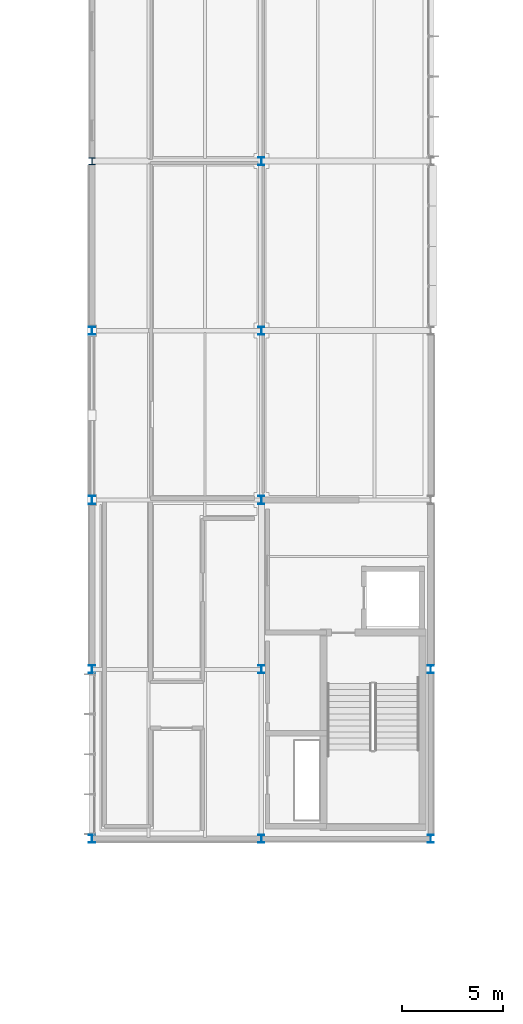
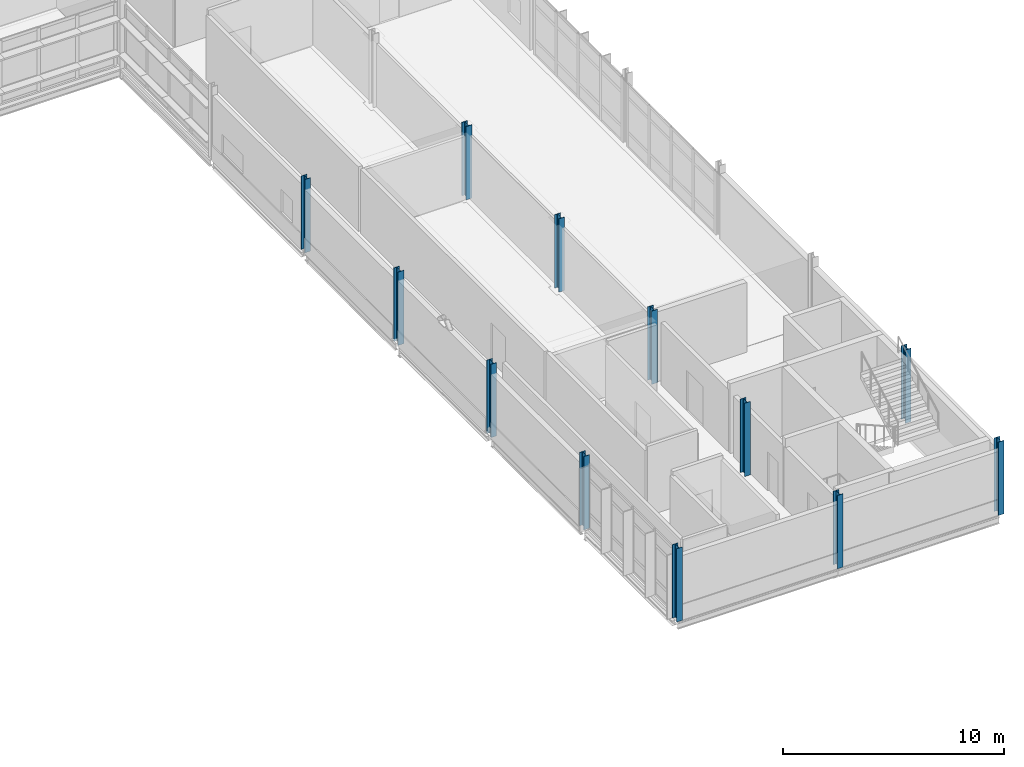
# One storey, part 11 of 131: 12 columns.
"""IFC4 building model written with IfcOpenShell, lengths in metres."""

import ifcopenshell
import ifcopenshell.guid

model = None  # the IFC model being written
_history = None  # IfcOwnerHistory: only IFC2X3 demands one
_inside = {}  # id of a spatial element -> (the spatial element, [elements in it])
_under = {}  # id of a project, library or spatial element -> (it, [spatial elements below it])
_declared = {}  # id of a project -> (the project, [libraries it declares])
_typed = {}  # id of a type object -> (the type object, [elements of that type])
_made_of = {}  # id of a material, layer set ... -> (it, [elements and type objects made of it])


def new_model(schema):
    """Start an empty IFC model of exactly this schema.

    Asked for "IFC4X3", IfcOpenShell would pick the latest addendum, in which some entities
    have other attributes; the version numbers below select the first issue.
    IFC2X3 requires an IfcOwnerHistory on every rooted entity: one is made here for all.
    """
    global model, _history
    if schema == "IFC4X3":
        model = ifcopenshell.file(schema_version=(4, 3, 0, 0))
    else:
        model = ifcopenshell.file(schema=schema)
    _inside.clear()
    _under.clear()
    _declared.clear()
    _typed.clear()
    _made_of.clear()
    _history = None
    if model.schema == "IFC2X3":
        org = make("IfcOrganization", Name="unknown")
        user = make(
            "IfcPersonAndOrganization",
            ThePerson=make("IfcPerson", FamilyName="unknown"),
            TheOrganization=org,
        )
        app = make(
            "IfcApplication",
            ApplicationDeveloper=org,
            Version="unknown",
            ApplicationFullName="unknown",
            ApplicationIdentifier="unknown",
        )
        _history = make(
            "IfcOwnerHistory",
            OwningUser=user,
            OwningApplication=app,
            ChangeAction="ADDED",
            CreationDate=0,
        )
    return model


def make(cls, **values):
    """One entity of the class cls with the attributes given. An attribute that is None is left unset."""
    return model.create_entity(
        cls, **{name: value for name, value in values.items() if value is not None}
    )


def rooted(cls, **values):
    """An entity with a GlobalId (a new one), such as an element, a storey or a relation."""
    return make(cls, GlobalId=ifcopenshell.guid.new(), OwnerHistory=_history, **values)


def si_unit(unit_type, name, prefix=None):
    """IfcSIUnit, for example si_unit("LENGTHUNIT", "METRE", prefix="MILLI")."""
    return make("IfcSIUnit", UnitType=unit_type, Prefix=prefix, Name=name)


def assignment(units):
    """IfcUnitAssignment: the units of a project."""
    return None if units is None else make("IfcUnitAssignment", Units=units)


def point(xyz):
    """IfcCartesianPoint."""
    return None if xyz is None else make("IfcCartesianPoint", Coordinates=xyz)


def direction(xyz):
    """IfcDirection."""
    return None if xyz is None else make("IfcDirection", DirectionRatios=xyz)


def frame(location, z_axis=None, x_axis=None):
    """IfcAxis2Placement3D, a coordinate frame: its origin and axes. An axis left out is left unset."""
    return make(
        "IfcAxis2Placement3D",
        Location=point(location),
        Axis=direction(z_axis),
        RefDirection=direction(x_axis),
    )


def frame_2d(location, x_axis=None):
    """IfcAxis2Placement2D, a coordinate frame in the plane: its origin and x axis."""
    return make(
        "IfcAxis2Placement2D", Location=point(location), RefDirection=direction(x_axis)
    )


def origin():
    """The frame at (0, 0, 0) with its axes left unset."""
    return frame((0.0, 0.0, 0.0))


def origin_2d():
    """The frame at (0, 0) in the plane with its x axis left unset."""
    return frame_2d((0.0, 0.0))


def place(relative_to, where):
    """IfcLocalPlacement: puts the frame where relative to a parent placement (None: the world)."""
    return make(
        "IfcLocalPlacement", PlacementRelTo=relative_to, RelativePlacement=where
    )


def context(
    kind, dimensions, precision=None, world=None, true_north=None, identifier=None
):
    """IfcGeometricRepresentationContext, for example the 3D "Model" context."""
    return make(
        "IfcGeometricRepresentationContext",
        ContextIdentifier=identifier,
        ContextType=kind,
        CoordinateSpaceDimension=dimensions,
        Precision=precision,
        WorldCoordinateSystem=world,
        TrueNorth=true_north,
    )


def subcontext(parent, identifier, kind, view, scale=None):
    """IfcGeometricRepresentationSubContext, for example "Body" below "Model"."""
    return make(
        "IfcGeometricRepresentationSubContext",
        ContextIdentifier=identifier,
        ContextType=kind,
        ParentContext=parent,
        TargetScale=scale,
        TargetView=view,
    )


def project(units=None, contexts=None):
    """IfcProject with its units and contexts."""
    return rooted(
        "IfcProject",
        Name="project",
        RepresentationContexts=contexts,
        UnitsInContext=assignment(units),
    )


def spatial(cls, under=None, at=None, **own):
    """A site, building, storey or space (cls), placed at a placement, below another one or the project."""
    s = rooted(cls, ObjectPlacement=at, **own)
    if under is not None:
        _under.setdefault(under.id(), (under, []))[1].append(s)
    return s


def profile(cls, at=None, kind="AREA", **sizes):
    """A parametric profile (cls). Its sizes go by their IFC names, for example OverallWidth=200.0."""
    return make(cls, ProfileType=kind, Position=at, **sizes)


def i_section(**sizes):
    """IfcIShapeProfileDef."""
    return profile("IfcIShapeProfileDef", **sizes)


def extrude(swept, where, along, depth):
    """IfcExtrudedAreaSolid: the profile swept, set in the frame where, extruded along a direction by depth."""
    return make(
        "IfcExtrudedAreaSolid",
        SweptArea=swept,
        Position=where,
        ExtrudedDirection=direction(along),
        Depth=depth,
    )


def shape(context_of_items, identifier, shape_type, items):
    """IfcShapeRepresentation: the items that make up one representation, for example the "Body"."""
    return make(
        "IfcShapeRepresentation",
        ContextOfItems=context_of_items,
        RepresentationIdentifier=identifier,
        RepresentationType=shape_type,
        Items=items,
    )


def material(Name=None, Category=None):
    """IfcMaterial."""
    return make("IfcMaterial", Name=Name, Category=Category)


def material_profile(
    of_material, cross_section, Name=None, Category=None, Priority=None
):
    """IfcMaterialProfile: a cross section and its material."""
    return make(
        "IfcMaterialProfile",
        Name=Name,
        Material=of_material,
        Profile=cross_section,
        Priority=Priority,
        Category=Category,
    )


def profile_set(profiles, Name=None, composite=None):
    """IfcMaterialProfileSet."""
    return make(
        "IfcMaterialProfileSet",
        Name=Name,
        MaterialProfiles=profiles,
        CompositeProfile=composite,
    )


def made_of(thing, what):
    """Note that an element or type object is made of a material, layer set ...; save() writes the relation."""
    if what is not None:
        _made_of.setdefault(what.id(), (what, []))[1].append(thing)
    return thing


def type_object(cls, material=None, **own):
    """A type object (cls), such as IfcWallType, which elements share."""
    return made_of(rooted(cls, **own), material)


def element(
    cls,
    number,
    at=None,
    inside=None,
    cuts=None,
    type_object=None,
    material=None,
    context=None,
    identifier="Body",
    shape_type=None,
    held_by="IfcProductDefinitionShape",
    body=None,
    shapes=None,
    **own,
):
    """One element of the class cls, such as IfcWall. Its Tag is "e" and its number.

    at: its placement. inside: the storey or other place that contains it. cuts: it is an
    opening in that element (IfcRelVoidsElement). A single representation is given by context,
    identifier, shape_type and body (its items); several are given by shapes. held_by: the class
    of the entity that holds the representations. save() writes the other relations.
    """
    e = rooted(cls, Tag="e%d" % number, ObjectPlacement=at, **own)
    if body is not None:
        shapes = [shape(context, identifier, shape_type, body)]
    if shapes is not None:
        e.Representation = make(held_by, Representations=shapes)
    if inside is not None:
        _inside.setdefault(inside.id(), (inside, []))[1].append(e)
    if cuts is not None:
        rooted(
            "IfcRelVoidsElement", RelatingBuildingElement=cuts, RelatedOpeningElement=e
        )
    if type_object is not None:
        _typed.setdefault(type_object.id(), (type_object, []))[1].append(e)
    return made_of(e, material)


def aggregate(whole, parts):
    """IfcRelAggregates: a whole, such as a stair, and the parts it consists of."""
    return rooted("IfcRelAggregates", RelatingObject=whole, RelatedObjects=parts)


def save(model, path):
    """Write the relations noted so far, then the file.

    IfcRelAggregates (storeys below a building ...), IfcRelContainedInSpatialStructure (elements
    in a storey), IfcRelDefinesByType, IfcRelAssociatesMaterial and IfcRelDeclares: one each for
    every whole, place, type object, material and project.
    """
    for whole, parts in _under.values():
        aggregate(whole, parts)
    for where, things in _inside.values():
        rooted(
            "IfcRelContainedInSpatialStructure",
            RelatedElements=things,
            RelatingStructure=where,
        )
    for kind, things in _typed.values():
        rooted("IfcRelDefinesByType", RelatedObjects=things, RelatingType=kind)
    for what, things in _made_of.values():
        rooted("IfcRelAssociatesMaterial", RelatedObjects=things, RelatingMaterial=what)
    for by, libraries in _declared.values():
        rooted("IfcRelDeclares", RelatingContext=by, RelatedDefinitions=libraries)
    model.write(path)


model = new_model("IFC4")

# Units and contexts
model_context = context("Model", 3, precision=1e-05, world=origin(), true_north=direction((0.0, 1.0)))
body_context = subcontext(model_context, "Body", "Model", "MODEL_VIEW")
ifc_project = project(units=[si_unit("LENGTHUNIT", "METRE"), si_unit("AREAUNIT", "SQUARE_METRE"), si_unit("VOLUMEUNIT", "CUBIC_METRE"), si_unit("PLANEANGLEUNIT", "RADIAN"), si_unit("MASSUNIT", "GRAM", prefix="KILO")], contexts=[model_context])

# Site, building, storey
site_placement = place(None, origin())
site = spatial("IfcSite", under=ifc_project, at=site_placement, CompositionType="ELEMENT")
building_placement = place(site_placement, origin())
building = spatial("IfcBuilding", under=site, at=building_placement, Name="Mersafa Astral City Hall", CompositionType="ELEMENT")
storey_placement = place(building_placement, frame((0.0, 0.0, 13.949951171875)))
storey = spatial("IfcBuildingStorey", under=building, at=storey_placement, Name="L03", CompositionType="ELEMENT", Elevation=13.949951171875)

# Columns
ifc_material = material(Name="Steel S355", Category="steel")
ifc_material_profile_1 = material_profile(ifc_material, i_section(OverallWidth=0.300048828125, OverallDepth=0.340087890625, WebThickness=0.011962890625, FlangeThickness=0.021484375, FilletRadius=0.027099609375, at=origin_2d()), Name="HEB 340")
ifc_profile_set_1 = profile_set([ifc_material_profile_1], Name="Steel S355")
column_type_1 = type_object("IfcColumnType", Name="STR-COL-HEB340", PredefinedType="COLUMN", material=ifc_profile_set_1)
column_placement = place(storey_placement, frame((159.60009765625, 84.0, 0.0), z_axis=(0.0, 0.0, 1.0), x_axis=(1.0, 0.0, 0.0)))
element("IfcColumn", 1, at=column_placement, inside=storey, type_object=column_type_1, Name="L03 Structural column G-19-10", PredefinedType="COLUMN", context=body_context, shape_type="SweptSolid", body=[
    extrude(i_section(OverallWidth=0.300048828125, OverallDepth=0.340087890625, WebThickness=0.011962890625, FlangeThickness=0.021484375, FilletRadius=0.027099609375, at=origin_2d()), origin(), (0.0, 0.0, 1.0), 4.050048828125),
])
ifc_material_profile_2 = material_profile(ifc_material, i_section(OverallWidth=0.300048828125, OverallDepth=0.39990234375, WebThickness=0.013427734375, FlangeThickness=0.02392578125, FilletRadius=0.027099609375, at=origin_2d()), Name="HEB 400")
ifc_profile_set_2 = profile_set([ifc_material_profile_2], Name="Steel S355")
column_type_2 = type_object("IfcColumnType", Name="STR-COL-HEB400", PredefinedType="COLUMN", material=ifc_profile_set_2)
for number, where, z_axis, x_axis, name in (
    (2, (159.60009765625, 50.39990234375, 0.0), (0.0, 0.0, 1.0), (1.0, 0.0, 0.0), "L03 Structural column G-19-06"),
    (3, (159.60009765625, 58.800048828125, 0.0), (0.0, 0.0, 1.0), (1.0, 0.0, 0.0), "L03 Structural column G-19-07"),
    (4, (159.60009765625, 67.199951171875, 0.0), (0.0, 0.0, 1.0), (1.0, 0.0, 0.0), "L03 Structural column G-19-08"),
    (5, (159.60009765625, 75.60009765625, 0.0), (0.0, 0.0, 1.0), (1.0, 0.0, 0.0), "L03 Structural column G-19-09"),
    (6, (168.0, 50.39990234375, 0.0), (0.0, 0.0, 1.0), (1.0, 0.0, 0.0), "L03 Structural column G-20-06"),
    (7, (168.0, 58.800048828125, 0.0), (0.0, 0.0, 1.0), (1.0, 0.0, 0.0), "L03 Structural column G-20-07"),
    (8, (168.0, 67.199951171875, 0.0), (0.0, 0.0, 1.0), (1.0, 0.0, 0.0), "L03 Structural column G-20-08"),
    (9, (168.0, 75.60009765625, 0.0), (0.0, 0.0, 1.0), (1.0, 0.0, 0.0), "L03 Structural column G-20-09"),
    (10, (168.0, 84.0, 0.0), (0.0, 0.0, 1.0), (1.0, 0.0, 0.0), "L03 Structural column G-20-10"),
    (11, (176.39990234375, 50.39990234375, 0.0), (0.0, 0.0, 1.0), (1.0, 0.0, 0.0), "L03 Structural column G-21-06"),
    (12, (176.39990234375, 58.800048828125, 0.0), (0.0, 0.0, 1.0), (1.0, 0.0, 0.0), "L03 Structural column G-21-07"),
):
    element("IfcColumn", number, at=place(storey_placement, frame(where, z_axis=z_axis, x_axis=x_axis)), inside=storey, type_object=column_type_2, Name=name, PredefinedType="COLUMN", context=body_context, shape_type="SweptSolid", body=[
        extrude(i_section(OverallWidth=0.300048828125, OverallDepth=0.39990234375, WebThickness=0.013427734375, FlangeThickness=0.02392578125, FilletRadius=0.027099609375, at=origin_2d()), origin(), (0.0, 0.0, 1.0), 4.050048828125),
    ])

save(model, "model.ifc")
